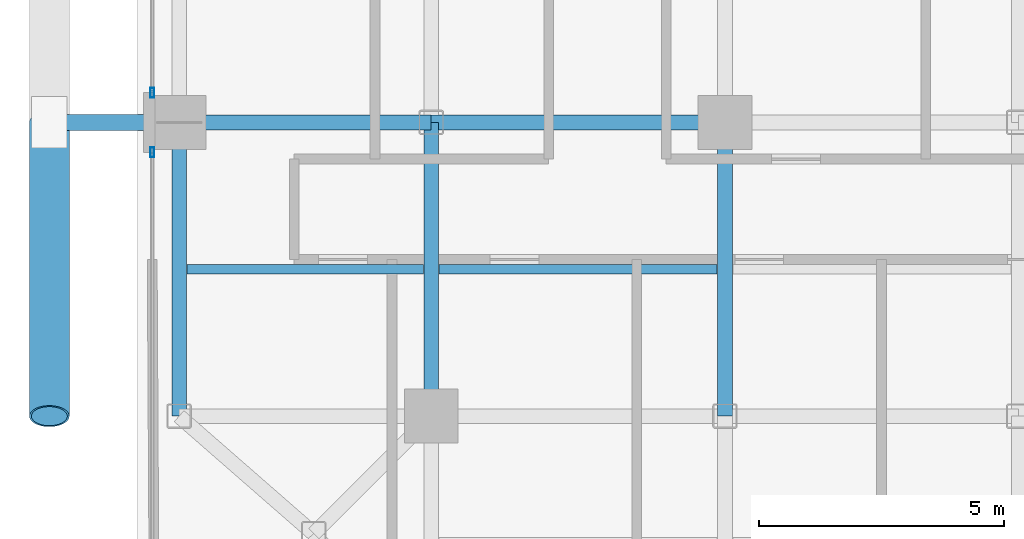
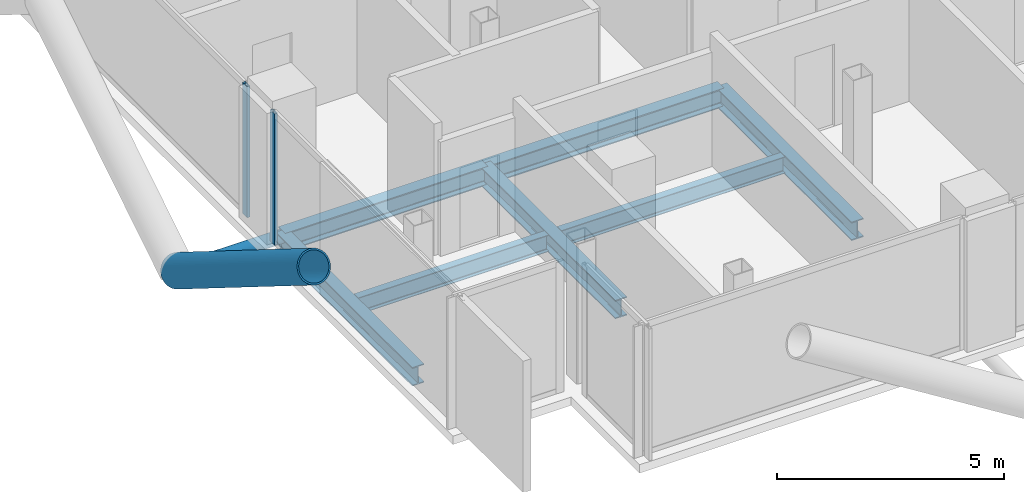
# One storey, part 3 of 28: 7 beams, 4 members, 2 elements without a shape of their own.
"""IFC4 building model written with IfcOpenShell, lengths in metres."""

from ifc_helpers import new_model, si_unit, direction, frame, origin, origin_2d, place, context, subcontext, project, spatial, hollow_rectangle, hollow_circle, i_section, extrude, material, layer, layer_set, material_profile, profile_set, type_object, element, aggregate, save


model = new_model("IFC4")

# Units and contexts
model_context = context("Model", 3, precision=1e-05, world=origin(), true_north=direction((0.0, 1.0)))
body_context = subcontext(model_context, "Body", "Model", "MODEL_VIEW")
ifc_project = project(units=[si_unit("LENGTHUNIT", "METRE"), si_unit("AREAUNIT", "SQUARE_METRE"), si_unit("VOLUMEUNIT", "CUBIC_METRE"), si_unit("PLANEANGLEUNIT", "RADIAN"), si_unit("MASSUNIT", "GRAM", prefix="KILO"), si_unit("THERMODYNAMICTEMPERATUREUNIT", "KELVIN"), si_unit("POWERUNIT", "WATT")], contexts=[model_context])

# Site, building, storey
site_placement = place(None, origin())
site = spatial("IfcSite", under=ifc_project, at=site_placement, CompositionType="ELEMENT")
building_placement = place(site_placement, origin())
building = spatial("IfcBuilding", under=site, at=building_placement, Name="Svarakhadi Broadcast Tower", CompositionType="ELEMENT")
storey_placement = place(building_placement, frame((0.0, 0.0, 123.14990234375)))
storey = spatial("IfcBuildingStorey", under=building, at=storey_placement, Name="L29", CompositionType="ELEMENT", Elevation=123.14990234375)

# Beams
ifc_material_1 = material(Name="Steel S355J2 (IS 2062 E350C)", Category="steel")
ifc_material_profile_1 = material_profile(ifc_material_1, i_section(OverallWidth=0.18994140625, OverallDepth=0.449951171875, WebThickness=0.009521484375, FlangeThickness=0.0146484375, FilletRadius=0.02099609375, at=origin_2d()), Name="NPB 450x190x78")
ifc_profile_set_1 = profile_set([ifc_material_profile_1], Name="Steel S355J2 (IS 2062 E350C)")
beam_type_1 = type_object("IfcBeamType", Name="Beam_NPB450", PredefinedType="BEAM", material=ifc_profile_set_1)
beam_1_placement = place(storey_placement, frame((1.010009765625, 9.0, -0.449951171875), z_axis=(1.0, 0.0, 0.0), x_axis=(0.0, 1.0, 0.0)))
element("IfcBeam", 1, at=beam_1_placement, inside=storey, type_object=beam_type_1, Name="L29 Secondary Composite Beam SB001", PredefinedType="BEAM", context=body_context, shape_type="SweptSolid", body=[
    extrude(i_section(OverallWidth=0.18994140625, OverallDepth=0.449951171875, WebThickness=0.009521484375, FlangeThickness=0.0146484375, FilletRadius=0.02099609375, at=origin_2d()), origin(), (0.0, 0.0, 1.0), 4.830078125),
])
beam_2_placement = place(storey_placement, frame((6.159912109375, 9.0, -0.449951171875), z_axis=(1.0, 0.0, 0.0), x_axis=(0.0, 1.0, 0.0)))
element("IfcBeam", 2, at=beam_2_placement, inside=storey, type_object=beam_type_1, Name="L29 Secondary Composite Beam SB007", PredefinedType="BEAM", context=body_context, shape_type="SweptSolid", body=[
    extrude(i_section(OverallWidth=0.18994140625, OverallDepth=0.449951171875, WebThickness=0.009521484375, FlangeThickness=0.0146484375, FilletRadius=0.02099609375, at=origin_2d()), origin(), (0.0, 0.0, 1.0), 5.68017578125),
])

# Curtain wall, member
ifc_material_2 = material(Name="Anodised Bronze Aluminium AA 6063-T6", Category="aluminium")
ifc_layer = layer(ifc_material_2, 0.199951171875)
ifc_layer_set = layer_set([ifc_layer], Name="Anodised Bronze Aluminium AA 6063-T6")
curtain_wall_type = type_object("IfcCurtainWallType", Name="CW_Sys_03", PredefinedType="NOTDEFINED", material=ifc_layer_set)
curtain_wall_1_placement = place(storey_placement, origin())
curtain_wall_1 = element("IfcCurtainWall", 3, at=curtain_wall_1_placement, inside=storey, type_object=curtain_wall_type, Name="L29 West Curtain Wall 02 Bay 1", PredefinedType="NOTDEFINED")
ifc_material_profile_2 = material_profile(ifc_material_2, hollow_rectangle(XDim=0.074951171875, YDim=0.199951171875, WallThickness=0.005615234375, at=origin_2d()), Name="ALU MULLION 200x75x6")
ifc_profile_set_2 = profile_set([ifc_material_profile_2], Name="Anodised Bronze Aluminium AA 6063-T6")
member_type_1 = type_object("IfcMemberType", Name="CW_Sys_03_Mul", PredefinedType="MULLION", material=ifc_profile_set_2)
member_1_placement = place(storey_placement, frame((0.300048828125, 11.392578125, 0.0), z_axis=(0.0, 0.0, 1.0), x_axis=(-1.0, 0.0, 0.0)))
member_1 = element("IfcMember", 4, at=member_1_placement, type_object=member_type_1, Name="CW-03 mullion 2", PredefinedType="MULLION", context=body_context, shape_type="SweptSolid", body=[
    extrude(hollow_rectangle(XDim=0.074951171875, YDim=0.199951171875, WallThickness=0.005615234375, at=origin_2d()), origin(), (0.0, 0.0, 1.0), 3.525146484375),
])
aggregate(curtain_wall_1, [member_1])

curtain_wall_2_placement = place(storey_placement, origin())
curtain_wall_2 = element("IfcCurtainWall", 5, at=curtain_wall_2_placement, inside=storey, type_object=curtain_wall_type, Name="L29 West Curtain Wall 02 Bay 2", PredefinedType="NOTDEFINED")
member_2_placement = place(storey_placement, frame((0.300048828125, 12.607421875, 0.0), z_axis=(0.0, 0.0, 1.0), x_axis=(-1.0, 0.0, 0.0)))
member_2 = element("IfcMember", 6, at=member_2_placement, type_object=member_type_1, Name="CW-03 mullion 1", PredefinedType="MULLION", context=body_context, shape_type="SweptSolid", body=[
    extrude(hollow_rectangle(XDim=0.074951171875, YDim=0.199951171875, WallThickness=0.005615234375, at=origin_2d()), origin(), (0.0, 0.0, 1.0), 3.525146484375),
])
aggregate(curtain_wall_2, [member_2])

# Members
ifc_material_3 = material(Name="Steel S460ML (IS 2062 E450BR)", Category="steel")
ifc_material_profile_3 = material_profile(ifc_material_3, hollow_circle(Radius=0.406494140625, WallThickness=0.0400390625, at=origin_2d()), Name="CHS 813x40")
ifc_profile_set_3 = profile_set([ifc_material_profile_3], Name="Steel S460ML (IS 2062 E450BR)")
member_type_2 = type_object("IfcMemberType", Name="Exo_Brace_CHS813", PredefinedType="BRACE", material=ifc_profile_set_3)
member_3_placement = place(storey_placement, frame((-1.800048828125, 12.0, -0.386962890625), z_axis=(0.0, -0.847998304005, 0.529998940003), x_axis=(1.0, 0.0, 0.0)))
element("IfcMember", 7, at=member_3_placement, inside=storey, type_object=member_type_2, Name="L29 Exposed Bronze Exoskeleton Diagonal W05", PredefinedType="BRACE", context=body_context, shape_type="SweptSolid", body=[
    extrude(hollow_circle(Radius=0.406494140625, WallThickness=0.0400390625, at=origin_2d()), origin(), (0.0, 0.0, 1.0), 7.075439453125),
])
ifc_material_profile_4 = material_profile(ifc_material_3, hollow_circle(Radius=0.161865234375, WallThickness=0.01611328125, at=origin_2d()), Name="CHS 323.9x16")
ifc_profile_set_4 = profile_set([ifc_material_profile_4], Name="Steel S460ML (IS 2062 E450BR)")
member_type_3 = type_object("IfcMemberType", Name="Exo_Radial_Strut_Z2", PredefinedType="STRUT", material=ifc_profile_set_4)
member_4_placement = place(storey_placement, frame((-1.800048828125, 12.0, -0.386962890625), z_axis=(1.0, 0.0, 0.0), x_axis=(0.0, 1.0, 0.0)))
element("IfcMember", 8, at=member_4_placement, inside=storey, type_object=member_type_3, Name="L29 Exoskeleton Radial Tie Strut W03", PredefinedType="STRUT", context=body_context, shape_type="SweptSolid", body=[
    extrude(hollow_circle(Radius=0.161865234375, WallThickness=0.01611328125, at=origin_2d()), origin(), (0.0, 0.0, 1.0), 2.650146484375),
])

# Beams
ifc_material_profile_5 = material_profile(ifc_material_1, i_section(OverallWidth=0.300048828125, OverallDepth=0.5, WebThickness=0.014404296875, FlangeThickness=0.028076171875, FilletRadius=0.027099609375, at=origin_2d()), Name="WPB 500x300x187")
ifc_profile_set_5 = profile_set([ifc_material_profile_5], Name="Steel S355J2 (IS 2062 E350C)")
beam_type_2 = type_object("IfcBeamType", Name="Girder_WPB500", PredefinedType="USERDEFINED", material=ifc_profile_set_5)
beam_3_placement = place(storey_placement, frame((0.85009765625, 12.0, -0.474853515625), z_axis=(1.0, 0.0, 0.0), x_axis=(0.0, 1.0, 0.0)))
element("IfcBeam", 9, at=beam_3_placement, inside=storey, type_object=beam_type_2, Name="L29 Primary E-W Girder G017", ObjectType="GIRDER", PredefinedType="USERDEFINED", context=body_context, shape_type="SweptSolid", body=[
    extrude(i_section(OverallWidth=0.300048828125, OverallDepth=0.5, WebThickness=0.014404296875, FlangeThickness=0.028076171875, FilletRadius=0.027099609375, at=origin_2d()), origin(), (0.0, 0.0, 1.0), 5.14990234375),
])
for number, where, z_axis, x_axis, name in (
    (10, (6.0, 12.0, -0.474853515625), (1.0, 0.0, 0.0), (0.0, 1.0, 0.0), "L29 Primary E-W Girder G018"),
    (11, (0.85009765625, 6.0, -0.474853515625), (0.0, 1.0, 0.0), (-1.0, 0.0, 0.0), "L29 Primary N-S Girder G040"),
    (12, (6.0, 6.0, -0.474853515625), (0.0, 1.0, 0.0), (-1.0, 0.0, 0.0), "L29 Primary N-S Girder G046"),
    (13, (12.0, 6.0, -0.474853515625), (0.0, 1.0, 0.0), (-1.0, 0.0, 0.0), "L29 Primary N-S Girder G052"),
):
    element("IfcBeam", number, at=place(storey_placement, frame(where, z_axis=z_axis, x_axis=x_axis)), inside=storey, type_object=beam_type_2, Name=name, ObjectType="GIRDER", PredefinedType="USERDEFINED", context=body_context, shape_type="SweptSolid", body=[
        extrude(i_section(OverallWidth=0.300048828125, OverallDepth=0.5, WebThickness=0.014404296875, FlangeThickness=0.028076171875, FilletRadius=0.027099609375, at=origin_2d()), origin(), (0.0, 0.0, 1.0), 6.0),
    ])

save(model, "model.ifc")
